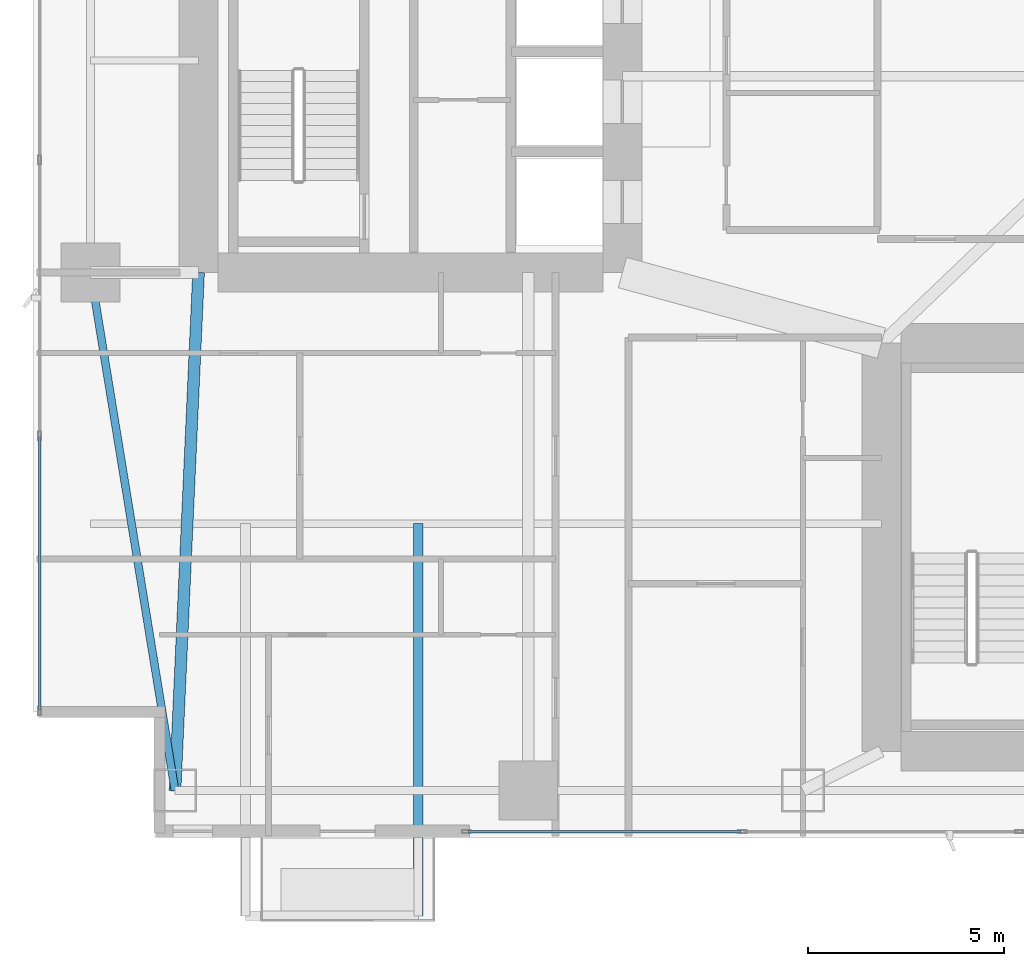
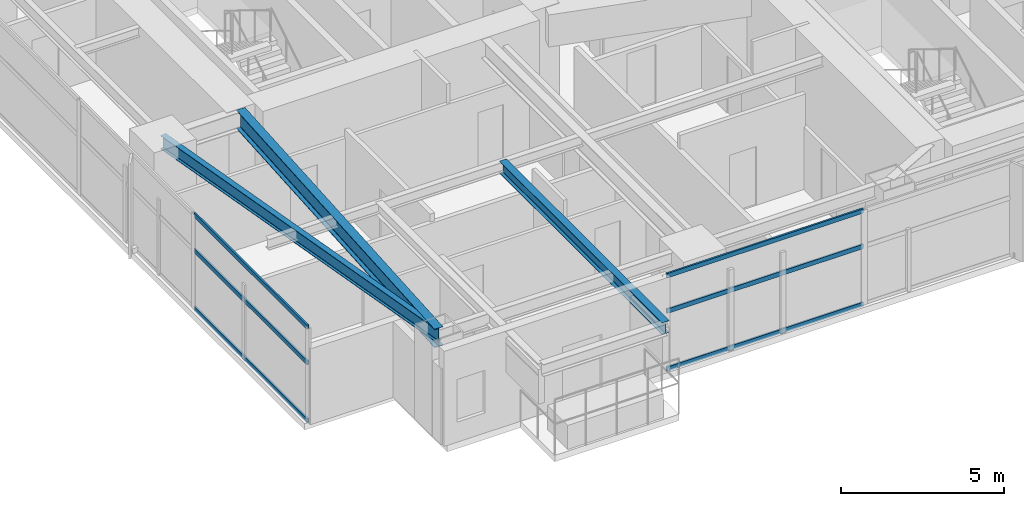
# One storey, part 3 of 29: 6 members, 3 beams, 2 elements without a shape of their own.
"""IFC4 building model written with IfcOpenShell, lengths in metres."""

from ifc_helpers import new_model, si_unit, direction, frame, origin, origin_2d, place, context, subcontext, project, spatial, hollow_rectangle, i_section, extrude, material, layer, layer_set, material_profile, profile_set, type_object, element, aggregate, save


model = new_model("IFC4")

# Units and contexts
model_context = context("Model", 3, precision=1e-05, world=origin(), true_north=direction((0.0, 1.0)))
body_context = subcontext(model_context, "Body", "Model", "MODEL_VIEW")
ifc_project = project(units=[si_unit("LENGTHUNIT", "METRE"), si_unit("AREAUNIT", "SQUARE_METRE"), si_unit("VOLUMEUNIT", "CUBIC_METRE"), si_unit("PLANEANGLEUNIT", "RADIAN"), si_unit("MASSUNIT", "GRAM", prefix="KILO")], contexts=[model_context])

# Site, building, storey
site_placement = place(None, origin())
site = spatial("IfcSite", under=ifc_project, at=site_placement, CompositionType="ELEMENT")
building_placement = place(site_placement, origin())
building = spatial("IfcBuilding", under=site, at=building_placement, Name="Calvorn Quay Hotel", CompositionType="ELEMENT")
storey_placement = place(building_placement, frame((0.0, 0.0, 38.39990234375)))
storey = spatial("IfcBuildingStorey", under=building, at=storey_placement, Name="L08", CompositionType="ELEMENT", Elevation=38.39990234375)

# Beams
ifc_material_1 = material(Name="Steel Q355B", Category="steel")
ifc_material_profile_1 = material_profile(ifc_material_1, i_section(OverallWidth=0.25, OverallDepth=0.449951171875, WebThickness=0.011962890625, FlangeThickness=0.01611328125, FilletRadius=0.01611328125, at=origin_2d()), Name="HN450x250x12x16")
ifc_profile_set_1 = profile_set([ifc_material_profile_1], Name="Steel Q355B")
beam_type_1 = type_object("IfcBeamType", Name="BM-CANT-BALC", PredefinedType="BEAM", material=ifc_profile_set_1)
beam_1_placement = place(storey_placement, frame((9.800048828125, 10.39990234375, 3.315185546875), z_axis=(0.0, -1.0, 0.0), x_axis=(1.0, 0.0, 0.0)))
element("IfcBeam", 1, at=beam_1_placement, inside=storey, type_object=beam_type_1, Name="Cantilever Balcony Beam BCB-L09-2B", PredefinedType="BEAM", context=body_context, shape_type="SweptSolid", body=[
    extrude(i_section(OverallWidth=0.25, OverallDepth=0.449951171875, WebThickness=0.011962890625, FlangeThickness=0.01611328125, FilletRadius=0.01611328125, at=origin_2d()), origin(), (0.0, 0.0, 1.0), 9.989990234375),
])
ifc_material_2 = material(Name="Steel Q390GJC", Category="steel")
ifc_material_profile_2 = material_profile(ifc_material_2, i_section(OverallWidth=0.300048828125, OverallDepth=0.699951171875, WebThickness=0.012939453125, FlangeThickness=0.02392578125, FilletRadius=0.02392578125, at=origin_2d()), Name="HN700x300x13x24")
ifc_profile_set_2 = profile_set([ifc_material_profile_2], Name="Steel Q390GJC")
beam_type_2 = type_object("IfcBeamType", Name="BM-GIRD-MAIN", PredefinedType="BEAM", material=ifc_profile_set_2)
beam_2_placement = place(storey_placement, frame((3.60009765625, 3.60009765625, 3.190185546875), z_axis=(0.045396765494, 0.998969035397, 0.0), x_axis=(-0.998969035397, 0.045396765494, 0.0)))
element("IfcBeam", 2, at=beam_2_placement, inside=storey, type_object=beam_type_2, Name="Beam BG-L08-W0", PredefinedType="BEAM", context=body_context, shape_type="SweptSolid", body=[
    extrude(i_section(OverallWidth=0.300048828125, OverallDepth=0.699951171875, WebThickness=0.012939453125, FlangeThickness=0.02392578125, FilletRadius=0.02392578125, at=origin_2d()), origin(), (0.0, 0.0, 1.0), 13.213623046875),
])
ifc_material_3 = material(Name="Steel Q355B", Category="steel")
ifc_material_profile_3 = material_profile(ifc_material_3, i_section(OverallWidth=0.199951171875, OverallDepth=0.5, WebThickness=0.010009765625, FlangeThickness=0.01611328125, FilletRadius=0.01611328125, at=origin_2d()), Name="HN500x200x10x16")
ifc_profile_set_3 = profile_set([ifc_material_profile_3], Name="Steel Q355B")
beam_type_3 = type_object("IfcBeamType", Name="BM-SPANDREL-Z1", PredefinedType="SPANDREL", material=ifc_profile_set_3)
beam_3_placement = place(storey_placement, frame((3.60009765625, 3.60009765625, 3.2900390625), z_axis=(-0.16077155054, 0.986991645627, 0.0), x_axis=(-0.986991645627, -0.16077155054, 0.0)))
element("IfcBeam", 3, at=beam_3_placement, inside=storey, type_object=beam_type_3, Name="Beam BSP-L08-W1", PredefinedType="SPANDREL", context=body_context, shape_type="SweptSolid", body=[
    extrude(i_section(OverallWidth=0.199951171875, OverallDepth=0.5, WebThickness=0.010009765625, FlangeThickness=0.01611328125, FilletRadius=0.01611328125, at=origin_2d()), origin(), (0.0, 0.0, 1.0), 13.3740234375),
])

# Curtain wall, members
ifc_material_4 = material(Name="Pale Anodised Aluminium and Low-E Glass", Category="aluminium")
ifc_layer = layer(ifc_material_4, 0.219970703125)
ifc_layer_set = layer_set([ifc_layer], Name="CW-SYS-Z1")
curtain_wall_type = type_object("IfcCurtainWallType", Name="CW-SYS-Z1", PredefinedType="NOTDEFINED", material=ifc_layer_set)
curtain_wall_1_placement = place(storey_placement, origin())
curtain_wall_1 = element("IfcCurtainWall", 4, at=curtain_wall_1_placement, inside=storey, type_object=curtain_wall_type, Name="Tower West Curtain Wall (L08)", PredefinedType="NOTDEFINED")
ifc_material_5 = material(Name="Pale Anodised Aluminium 6063-T6", Category="aluminium")
ifc_material_profile_4 = material_profile(ifc_material_5, hollow_rectangle(XDim=0.06494140625, YDim=0.1650390625, WallThickness=0.00341796875, at=origin_2d()), Name="ALU-T165x65x3.5")
ifc_profile_set_4 = profile_set([ifc_material_profile_4], Name="Pale Anodised Aluminium 6063-T6")
member_type = type_object("IfcMemberType", Name="CW-SYS-Z1-TRN", PredefinedType="USERDEFINED", material=ifc_profile_set_4)
member_1_placement = place(storey_placement, frame((0.14990234375, 5.659912109375, 0.030029296875), z_axis=(0.0, 1.0, 0.0), x_axis=(-1.0, 0.0, 0.0)))
member_1 = element("IfcMember", 5, at=member_1_placement, type_object=member_type, Name="CW-L08-W transom 1.1", ObjectType="TRANSOM", PredefinedType="USERDEFINED", context=body_context, shape_type="SweptSolid", body=[
    extrude(hollow_rectangle(XDim=0.06494140625, YDim=0.1650390625, WallThickness=0.00341796875, at=origin_2d()), origin(), (0.0, 0.0, 1.0), 6.943359375),
])
member_2_placement = place(storey_placement, frame((0.14990234375, 5.659912109375, 2.2001953125), z_axis=(0.0, 1.0, 0.0), x_axis=(-1.0, 0.0, 0.0)))
member_2 = element("IfcMember", 6, at=member_2_placement, type_object=member_type, Name="CW-L08-W transom 1.2", ObjectType="TRANSOM", PredefinedType="USERDEFINED", context=body_context, shape_type="SweptSolid", body=[
    extrude(hollow_rectangle(XDim=0.06494140625, YDim=0.1650390625, WallThickness=0.00341796875, at=origin_2d()), origin(), (0.0, 0.0, 1.0), 6.943359375),
])
member_3_placement = place(storey_placement, frame((0.14990234375, 5.659912109375, 3.530029296875), z_axis=(0.0, 1.0, 0.0), x_axis=(-1.0, 0.0, 0.0)))
member_3 = element("IfcMember", 7, at=member_3_placement, type_object=member_type, Name="CW-L08-W transom 1.3", ObjectType="TRANSOM", PredefinedType="USERDEFINED", context=body_context, shape_type="SweptSolid", body=[
    extrude(hollow_rectangle(XDim=0.06494140625, YDim=0.1650390625, WallThickness=0.00341796875, at=origin_2d()), origin(), (0.0, 0.0, 1.0), 6.943359375),
])
aggregate(curtain_wall_1, [member_1, member_2, member_3])

curtain_wall_2_placement = place(storey_placement, origin())
curtain_wall_2 = element("IfcCurtainWall", 8, at=curtain_wall_2_placement, inside=storey, type_object=curtain_wall_type, Name="Tower South Waterfront Curtain Wall (L08)", PredefinedType="NOTDEFINED")
member_4_placement = place(storey_placement, frame((11.06005859375, 2.550048828125, 0.030029296875), z_axis=(1.0, 0.0, 0.0), x_axis=(0.0, 1.0, 0.0)))
member_4 = element("IfcMember", 9, at=member_4_placement, type_object=member_type, Name="CW-L08-S transom 1.1", ObjectType="TRANSOM", PredefinedType="USERDEFINED", context=body_context, shape_type="SweptSolid", body=[
    extrude(hollow_rectangle(XDim=0.06494140625, YDim=0.1650390625, WallThickness=0.00341796875, at=origin_2d()), origin(), (0.0, 0.0, 1.0), 6.967041015625),
])
member_5_placement = place(storey_placement, frame((11.06005859375, 2.550048828125, 2.2001953125), z_axis=(1.0, 0.0, 0.0), x_axis=(0.0, 1.0, 0.0)))
member_5 = element("IfcMember", 10, at=member_5_placement, type_object=member_type, Name="CW-L08-S transom 1.2", ObjectType="TRANSOM", PredefinedType="USERDEFINED", context=body_context, shape_type="SweptSolid", body=[
    extrude(hollow_rectangle(XDim=0.06494140625, YDim=0.1650390625, WallThickness=0.00341796875, at=origin_2d()), origin(), (0.0, 0.0, 1.0), 6.967041015625),
])
member_6_placement = place(storey_placement, frame((11.06005859375, 2.550048828125, 3.530029296875), z_axis=(1.0, 0.0, 0.0), x_axis=(0.0, 1.0, 0.0)))
member_6 = element("IfcMember", 11, at=member_6_placement, type_object=member_type, Name="CW-L08-S transom 1.3", ObjectType="TRANSOM", PredefinedType="USERDEFINED", context=body_context, shape_type="SweptSolid", body=[
    extrude(hollow_rectangle(XDim=0.06494140625, YDim=0.1650390625, WallThickness=0.00341796875, at=origin_2d()), origin(), (0.0, 0.0, 1.0), 6.967041015625),
])
aggregate(curtain_wall_2, [member_4, member_5, member_6])

save(model, "model.ifc")
